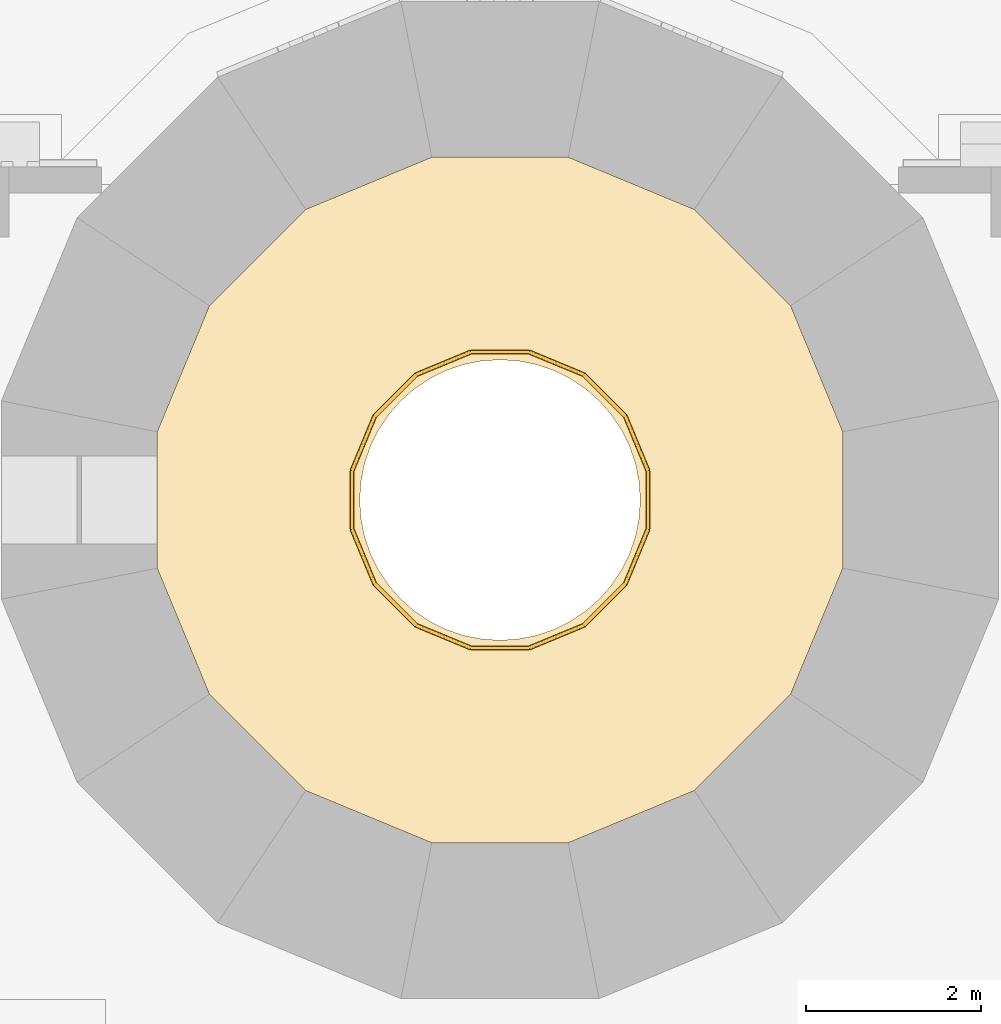
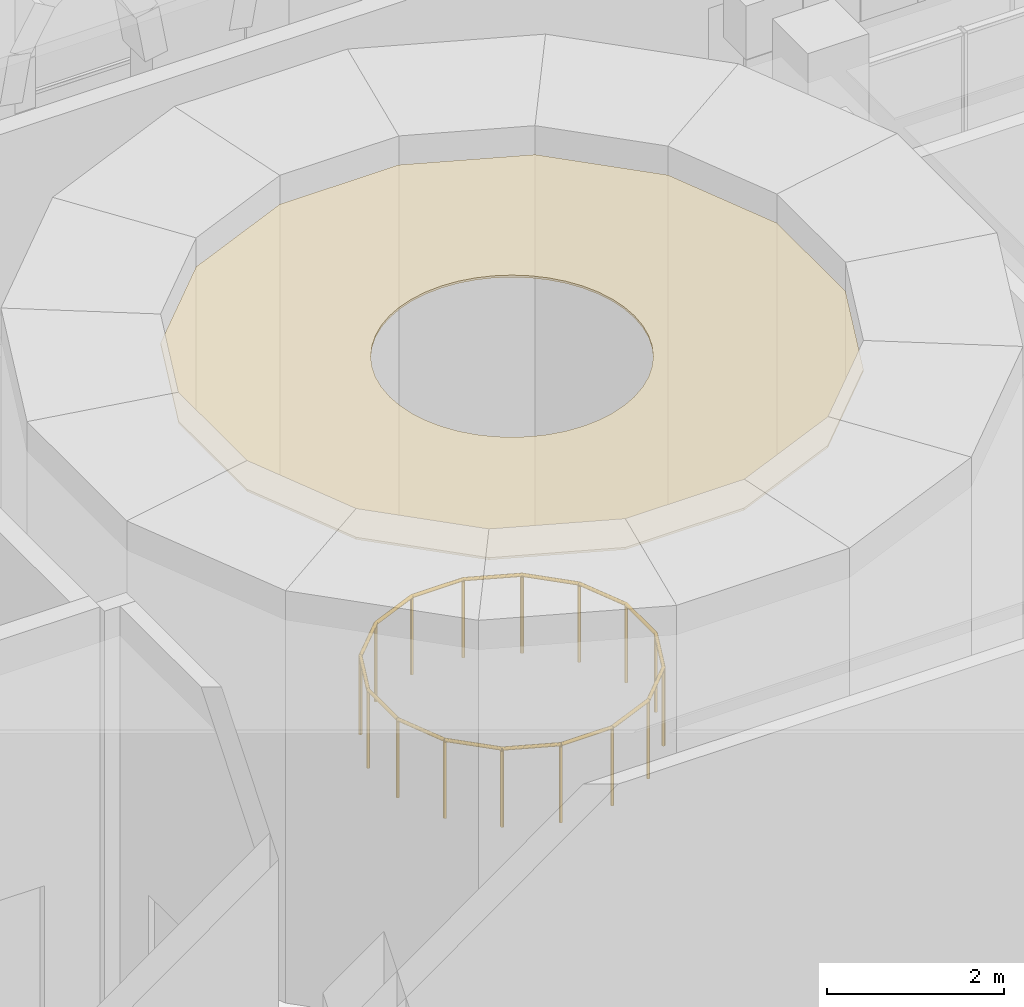
# One storey, part 82 of 125: 1 covering, 1 railing.
"""IFC4 building model written with IfcOpenShell, lengths in metres."""

from ifc_helpers import new_model, si_unit, direction, frame, origin, origin_2d, place, context, subcontext, project, spatial, polyline, circle, outline, extrude, material, layer, layer_set, type_object, element, save


model = new_model("IFC4")

# Units and contexts
model_context = context("Model", 3, precision=1e-05, world=origin(), true_north=direction((0.0, 1.0)))
body_context = subcontext(model_context, "Body", "Model", "MODEL_VIEW")
ifc_project = project(units=[si_unit("LENGTHUNIT", "METRE"), si_unit("AREAUNIT", "SQUARE_METRE"), si_unit("VOLUMEUNIT", "CUBIC_METRE"), si_unit("PLANEANGLEUNIT", "RADIAN"), si_unit("MASSUNIT", "GRAM", prefix="KILO")], contexts=[model_context])

# Site, building, storey
site_placement = place(None, origin())
site = spatial("IfcSite", under=ifc_project, at=site_placement, CompositionType="ELEMENT")
building_placement = place(site_placement, origin())
building = spatial("IfcBuilding", under=site, at=building_placement, Name="Sun Court Science Centre", CompositionType="ELEMENT")
storey_placement = place(building_placement, origin())
storey = spatial("IfcBuildingStorey", under=building, at=storey_placement, Name="L00", CompositionType="ELEMENT", Elevation=0.0)

# Covering
ifc_material_1 = material(Name="Gypsum board")
ifc_layer = layer(ifc_material_1, 0.030029296875)
ifc_layer_set = layer_set([ifc_layer], Name="Gypsum board")
covering_type = type_object("IfcCoveringType", Name="Ceiling suspended 600 module", PredefinedType="CEILING", material=ifc_layer_set)
covering_placement = place(storey_placement, frame((0.0, 0.0, 5.27001953125)))
element("IfcCovering", 1, at=covering_placement, inside=storey, type_object=covering_type, Name="L00-004 ceiling", PredefinedType="CEILING", context=body_context, shape_type="SweptSolid", body=[
    extrude(outline(polyline([(45.316162109375, 21.984130859375), (44.2158203125, 20.8837890625), (42.778076171875, 20.288330078125), (41.221923828125, 20.288330078125), (39.7841796875, 20.8837890625), (38.683837890625, 21.984130859375), (38.08837890625, 23.421875), (38.08837890625, 24.97802734375), (38.683837890625, 26.415771484375), (39.7841796875, 27.51611328125), (41.221923828125, 28.111572265625), (42.778076171875, 28.111572265625), (44.2158203125, 27.51611328125), (45.316162109375, 26.415771484375), (45.91162109375, 24.97802734375), (45.91162109375, 23.421875), (45.316162109375, 21.984130859375)]), holes=[polyline([(43.478271484375, 24.812255859375), (43.385498046875, 25.0), (43.269287109375, 25.174072265625), (43.13134765625, 25.331298828125), (42.97412109375, 25.469482421875), (42.800048828125, 25.585693359375), (42.6123046875, 25.67822265625), (42.4140625, 25.74560546875), (42.208740234375, 25.786376953125), (42.0, 25.800048828125), (41.791259765625, 25.786376953125), (41.5859375, 25.74560546875), (41.3876953125, 25.67822265625), (41.199951171875, 25.585693359375), (41.02587890625, 25.469482421875), (40.86865234375, 25.331298828125), (40.730712890625, 25.174072265625), (40.614501953125, 25.0), (40.521728515625, 24.812255859375), (40.45458984375, 24.614013671875), (40.413818359375, 24.40869140625), (40.39990234375, 24.199951171875), (40.413818359375, 23.9912109375), (40.45458984375, 23.785888671875), (40.521728515625, 23.587646484375), (40.614501953125, 23.39990234375), (40.730712890625, 23.22607421875), (40.86865234375, 23.068603515625), (41.02587890625, 22.9306640625), (41.199951171875, 22.814453125), (41.3876953125, 22.7216796875), (41.5859375, 22.654541015625), (41.791259765625, 22.61376953125), (42.0, 22.60009765625), (42.208740234375, 22.61376953125), (42.4140625, 22.654541015625), (42.6123046875, 22.7216796875), (42.800048828125, 22.814453125), (42.97412109375, 22.9306640625), (43.13134765625, 23.068603515625), (43.269287109375, 23.22607421875), (43.385498046875, 23.39990234375), (43.478271484375, 23.587646484375), (43.54541015625, 23.785888671875), (43.586181640625, 23.9912109375), (43.60009765625, 24.199951171875), (43.586181640625, 24.40869140625), (43.54541015625, 24.614013671875), (43.478271484375, 24.812255859375)])]), origin(), (0.0, 0.0, 1.0), 0.030029296875),
])

# Railing
ifc_material_2 = material(Name="Steel S275", Category="steel")
railing_type = type_object("IfcRailingType", Name="Guard 1100 well balustrade", PredefinedType="GUARDRAIL", material=ifc_material_2)
railing_placement = place(storey_placement, frame((43.68701171875, 24.53564453125, 0.0)))
element("IfcRailing", 2, at=railing_placement, inside=storey, type_object=railing_type, Name="C4 well guard L00", PredefinedType="GUARDRAIL", context=body_context, shape_type="SweptSolid", body=[
    extrude(circle(Radius=0.02392578125, at=origin_2d()), frame((0.0, 0.0, 1.076171875), z_axis=(-0.382780256271, 0.923839420792, 0.0), x_axis=(-0.923839420792, -0.382780256271, 0.0)), (0.0, 0.0, 1.0), 0.6708984375),
    extrude(circle(Radius=0.02392578125, at=origin_2d()), frame((-0.2568359375, 0.619873046875, 1.076171875), z_axis=(-0.707106781187, 0.707106781187, 0.0), x_axis=(-0.707106781187, -0.707106781187, 0.0)), (0.0, 0.0, 1.0), 0.671142578125),
    extrude(circle(Radius=0.02392578125, at=origin_2d()), frame((-0.7314453125, 1.094482421875, 1.076171875), z_axis=(-0.923892706888, 0.382651625058, 0.0), x_axis=(-0.382651625058, -0.923892706888, 0.0)), (0.0, 0.0, 1.0), 0.671142578125),
    extrude(circle(Radius=0.02392578125, at=origin_2d()), frame((-1.3515625, 1.351318359375, 1.076171875), z_axis=(-1.0, 0.0, 0.0), x_axis=(0.0, -1.0, 0.0)), (0.0, 0.0, 1.0), 0.6708984375),
    extrude(circle(Radius=0.02392578125, at=origin_2d()), frame((-2.0224609375, 1.351318359375, 1.076171875), z_axis=(-0.923892706888, -0.382651625058, 0.0), x_axis=(0.382651625058, -0.923892706888, 0.0)), (0.0, 0.0, 1.0), 0.671142578125),
    extrude(circle(Radius=0.02392578125, at=origin_2d()), frame((-2.642578125, 1.094482421875, 1.076171875), z_axis=(-0.707106781187, -0.707106781187, 0.0), x_axis=(0.707106781187, -0.707106781187, 0.0)), (0.0, 0.0, 1.0), 0.671142578125),
    extrude(circle(Radius=0.02392578125, at=origin_2d()), frame((-3.1171875, 0.619873046875, 1.076171875), z_axis=(-0.382780256271, -0.923839420792, 0.0), x_axis=(0.923839420792, -0.382780256271, 0.0)), (0.0, 0.0, 1.0), 0.6708984375),
    extrude(circle(Radius=0.02392578125, at=origin_2d()), frame((-3.3740234375, 0.0, 1.076171875), z_axis=(0.0, -1.0, 0.0), x_axis=(1.0, 0.0, 0.0)), (0.0, 0.0, 1.0), 0.671142578125),
    extrude(circle(Radius=0.02392578125, at=origin_2d()), frame((-3.3740234375, -0.671142578125, 1.076171875), z_axis=(0.382651625058, -0.923892706888, 0.0), x_axis=(0.923892706888, 0.382651625058, 0.0)), (0.0, 0.0, 1.0), 0.671142578125),
    extrude(circle(Radius=0.02392578125, at=origin_2d()), frame((-3.1171875, -1.291259765625, 1.076171875), z_axis=(0.707106781187, -0.707106781187, 0.0), x_axis=(0.707106781187, 0.707106781187, 0.0)), (0.0, 0.0, 1.0), 0.671142578125),
    extrude(circle(Radius=0.02392578125, at=origin_2d()), frame((-2.642578125, -1.765869140625, 1.076171875), z_axis=(0.923892706888, -0.382651625058, 0.0), x_axis=(0.382651625058, 0.923892706888, 0.0)), (0.0, 0.0, 1.0), 0.671142578125),
    extrude(circle(Radius=0.02392578125, at=origin_2d()), frame((-2.0224609375, -2.022705078125, 1.076171875), z_axis=(1.0, 0.0, 0.0), x_axis=(0.0, 1.0, 0.0)), (0.0, 0.0, 1.0), 0.6708984375),
    extrude(circle(Radius=0.02392578125, at=origin_2d()), frame((-1.3515625, -2.022705078125, 1.076171875), z_axis=(0.923892706888, 0.382651625058, 0.0), x_axis=(-0.382651625058, 0.923892706888, 0.0)), (0.0, 0.0, 1.0), 0.671142578125),
    extrude(circle(Radius=0.02392578125, at=origin_2d()), frame((-0.7314453125, -1.765869140625, 1.076171875), z_axis=(0.707106781187, 0.707106781187, 0.0), x_axis=(-0.707106781187, 0.707106781187, 0.0)), (0.0, 0.0, 1.0), 0.671142578125),
    extrude(circle(Radius=0.02392578125, at=origin_2d()), frame((-0.2568359375, -1.291259765625, 1.076171875), z_axis=(0.382651625058, 0.923892706888, 0.0), x_axis=(-0.923892706888, 0.382651625058, 0.0)), (0.0, 0.0, 1.0), 0.671142578125),
    extrude(circle(Radius=0.02392578125, at=origin_2d()), frame((0.0, -0.671142578125, 1.076171875), z_axis=(0.0, 1.0, 0.0), x_axis=(-1.0, 0.0, 0.0)), (0.0, 0.0, 1.0), 0.671142578125),
    extrude(circle(Radius=0.02099609375, at=origin_2d()), origin(), (0.0, 0.0, 1.0), 1.052001953125),
    extrude(circle(Radius=0.02099609375, at=origin_2d()), frame((-0.2568359375, 0.619873046875, 0.0)), (0.0, 0.0, 1.0), 1.052001953125),
    extrude(circle(Radius=0.02099609375, at=origin_2d()), frame((-0.7314453125, 1.094482421875, 0.0)), (0.0, 0.0, 1.0), 1.052001953125),
    extrude(circle(Radius=0.02099609375, at=origin_2d()), frame((-1.3515625, 1.351318359375, 0.0)), (0.0, 0.0, 1.0), 1.052001953125),
    extrude(circle(Radius=0.02099609375, at=origin_2d()), frame((-2.0224609375, 1.351318359375, 0.0)), (0.0, 0.0, 1.0), 1.052001953125),
    extrude(circle(Radius=0.02099609375, at=origin_2d()), frame((-2.642578125, 1.094482421875, 0.0)), (0.0, 0.0, 1.0), 1.052001953125),
    extrude(circle(Radius=0.02099609375, at=origin_2d()), frame((-3.1171875, 0.619873046875, 0.0)), (0.0, 0.0, 1.0), 1.052001953125),
    extrude(circle(Radius=0.02099609375, at=origin_2d()), frame((-3.3740234375, 0.0, 0.0)), (0.0, 0.0, 1.0), 1.052001953125),
    extrude(circle(Radius=0.02099609375, at=origin_2d()), frame((-3.3740234375, -0.671142578125, 0.0)), (0.0, 0.0, 1.0), 1.052001953125),
    extrude(circle(Radius=0.02099609375, at=origin_2d()), frame((-3.1171875, -1.291259765625, 0.0)), (0.0, 0.0, 1.0), 1.052001953125),
    extrude(circle(Radius=0.02099609375, at=origin_2d()), frame((-2.642578125, -1.765869140625, 0.0)), (0.0, 0.0, 1.0), 1.052001953125),
    extrude(circle(Radius=0.02099609375, at=origin_2d()), frame((-2.0224609375, -2.022705078125, 0.0)), (0.0, 0.0, 1.0), 1.052001953125),
    extrude(circle(Radius=0.02099609375, at=origin_2d()), frame((-1.3515625, -2.022705078125, 0.0)), (0.0, 0.0, 1.0), 1.052001953125),
    extrude(circle(Radius=0.02099609375, at=origin_2d()), frame((-0.7314453125, -1.765869140625, 0.0)), (0.0, 0.0, 1.0), 1.052001953125),
    extrude(circle(Radius=0.02099609375, at=origin_2d()), frame((-0.2568359375, -1.291259765625, 0.0)), (0.0, 0.0, 1.0), 1.052001953125),
    extrude(circle(Radius=0.02099609375, at=origin_2d()), frame((0.0, -0.671142578125, 0.0)), (0.0, 0.0, 1.0), 1.052001953125),
])

save(model, "model.ifc")
